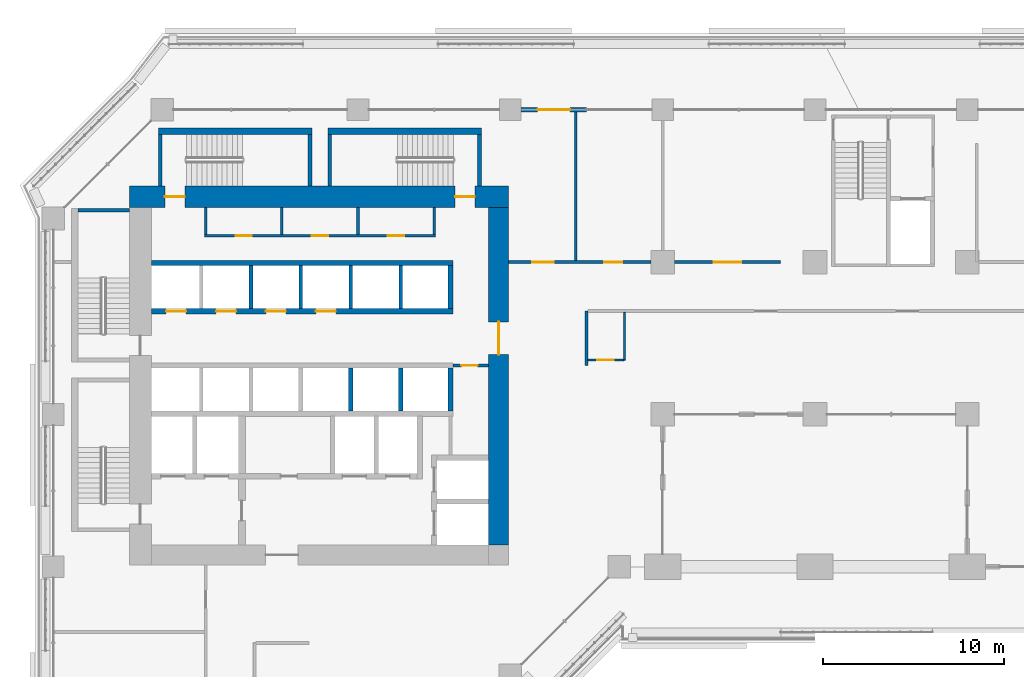
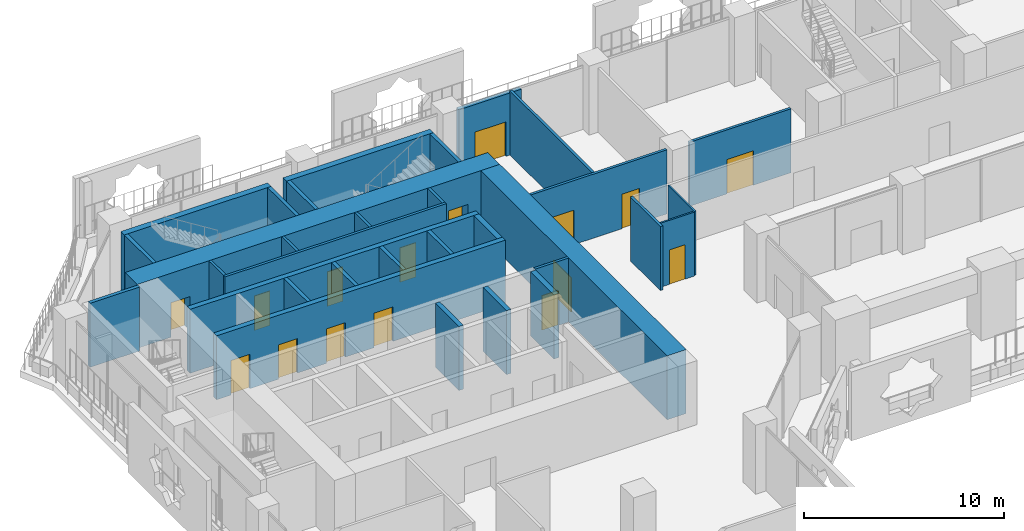
# One storey, part 15 of 27: 32 walls, 16 doors, 16 openings.
"""IFC4 building model written with IfcOpenShell, lengths in metres."""

from ifc_helpers import new_model, si_unit, direction, frame, frame_2d, origin, place, context, subcontext, project, spatial, rectangle, extrude, material, layer, layer_set, type_object, element, fill, save


model = new_model("IFC4")

# Units and contexts
model_context = context("Model", 3, precision=1e-05, world=origin(), true_north=direction((0.0, 1.0)))
body_context = subcontext(model_context, "Body", "Model", "MODEL_VIEW")
ifc_project = project(units=[si_unit("LENGTHUNIT", "METRE"), si_unit("AREAUNIT", "SQUARE_METRE"), si_unit("VOLUMEUNIT", "CUBIC_METRE"), si_unit("PLANEANGLEUNIT", "RADIAN"), si_unit("MASSUNIT", "GRAM", prefix="KILO")], contexts=[model_context])

# Site, building, storey
site_placement = place(None, origin())
site = spatial("IfcSite", under=ifc_project, at=site_placement, CompositionType="ELEMENT")
building_placement = place(site_placement, origin())
building = spatial("IfcBuilding", under=site, at=building_placement, Name="Kawkab Arch Medical Tower", CompositionType="ELEMENT")
storey_placement = place(building_placement, frame((0.0, 0.0, 39.199951171875)))
storey = spatial("IfcBuildingStorey", under=building, at=storey_placement, Name="L08", CompositionType="ELEMENT", Elevation=39.199951171875)

# Wall, opening, door
ifc_material_1 = material(Name="Concrete C60/75", Category="concrete")
ifc_layer_1 = layer(ifc_material_1, 1.10009765625)
ifc_layer_set_1 = layer_set([ifc_layer_1], Name="Concrete C60/75")
wall_type_1 = type_object("IfcWallType", Name="Core ring wall 1100 C60/75", PredefinedType="SHEAR", material=ifc_layer_set_1)
wall_1_placement = place(storey_placement, frame((24.550048828125, -24.0, 0.0), z_axis=(0.0, 0.0, 1.0), x_axis=(0.0, 1.0, 0.0)))
wall_1 = element("IfcWall", 1, at=wall_1_placement, inside=storey, type_object=wall_type_1, Name="L08 core wall", PredefinedType="SHEAR", context=body_context, shape_type="SweptSolid", body=[
    extrude(rectangle(XDim=18.60009765625, YDim=1.10009765625, at=frame_2d((9.300048828125, 0.0))), origin(), (0.0, 0.0, 1.0), 3.900146484375),
])
opening_1_placement = place(wall_1_placement, frame((10.5, 0.0, 0.0)))
opening_1 = element("IfcOpeningElement", 2, at=opening_1_placement, cuts=wall_1, Name="Opening PD", PredefinedType="OPENING", context=body_context, shape_type="SweptSolid", body=[
    extrude(rectangle(XDim=1.800048828125, YDim=2.10009765625, at=frame_2d((0.89990234375, 1.050048828125))), frame((0.0, 0.56005859375, 0.0), z_axis=(0.0, -1.0, 0.0), x_axis=(1.0, 0.0, 0.0)), (0.0, 0.0, 1.0), 1.1201171875),
])
ifc_material_2 = material(Name="Hollow metal fire door leaf")
door_type_1 = type_object("IfcDoorType", Name="Core entrance doors 1800", OperationType="DOUBLE_DOOR_SINGLE_SWING", PredefinedType="DOOR", material=ifc_material_2)
door_1_placement = place(opening_1_placement, origin())
door_1 = element("IfcDoor", 3, at=door_1_placement, inside=storey, type_object=door_type_1, Name="L08 East entrance doors", OperationType="DOUBLE_DOOR_SINGLE_SWING", OverallHeight=2.10009765625, OverallWidth=1.800048828125, PredefinedType="DOOR", context=body_context, shape_type="SweptSolid", body=[
    extrude(rectangle(XDim=1.800048828125, YDim=2.10009765625, at=frame_2d((0.89990234375, 1.050048828125))), frame((0.0, 0.02490234375, 0.0), z_axis=(0.0, -1.0, 0.0), x_axis=(1.0, 0.0, 0.0)), (0.0, 0.0, 1.0), 0.050048828125),
])
fill(opening_1, door_1)

# Wall, openings, doors
ifc_material_3 = material(Name="Concrete C60/75", Category="concrete")
ifc_layer_2 = layer(ifc_material_3, 1.199951171875)
ifc_layer_set_2 = layer_set([ifc_layer_2], Name="Concrete C60/75")
wall_type_2 = type_object("IfcWallType", Name="Core ring wall 1200 C60/75", PredefinedType="SHEAR", material=ifc_layer_set_2)
wall_2_placement = place(storey_placement, frame((4.199951171875, -4.800048828125, 0.0), z_axis=(0.0, 0.0, 1.0), x_axis=(1.0, 0.0, 0.0)))
wall_2 = element("IfcWall", 4, at=wall_2_placement, inside=storey, type_object=wall_type_2, Name="L08 core wall", PredefinedType="SHEAR", context=body_context, shape_type="SweptSolid", body=[
    extrude(rectangle(XDim=20.900146484375, YDim=1.199951171875, at=frame_2d((10.4501953125, 0.0))), origin(), (0.0, 0.0, 1.0), 3.900146484375),
])
opening_2_placement = place(wall_2_placement, frame((1.949951171875, 0.0, 0.0)))
opening_2 = element("IfcOpeningElement", 5, at=opening_2_placement, cuts=wall_2, Name="Opening SD", PredefinedType="OPENING", context=body_context, shape_type="SweptSolid", body=[
    extrude(rectangle(XDim=1.10009765625, YDim=2.10009765625, at=frame_2d((0.550048828125, 1.050048828125))), frame((0.0, 0.60986328125, 0.0), z_axis=(0.0, -1.0, 0.0), x_axis=(1.0, 0.0, 0.0)), (0.0, 0.0, 1.0), 1.219970703125),
])
opening_3_placement = place(wall_2_placement, frame((17.949951171875, 0.0, 0.0)))
opening_3 = element("IfcOpeningElement", 6, at=opening_3_placement, cuts=wall_2, Name="Opening SD", PredefinedType="OPENING", context=body_context, shape_type="SweptSolid", body=[
    extrude(rectangle(XDim=1.10009765625, YDim=2.10009765625, at=frame_2d((0.550048828125, 1.050048828125))), frame((0.0, 0.60986328125, 0.0), z_axis=(0.0, -1.0, 0.0), x_axis=(1.0, 0.0, 0.0)), (0.0, 0.0, 1.0), 1.219970703125),
])
ifc_material_4 = material(Name="Hollow metal fire door leaf")
door_type_2 = type_object("IfcDoorType", Name="Exit stair door 1100", OperationType="SINGLE_SWING_LEFT", PredefinedType="DOOR", material=ifc_material_4)
door_2_placement = place(opening_2_placement, origin())
door_2 = element("IfcDoor", 7, at=door_2_placement, inside=storey, type_object=door_type_2, Name="L08 Exit stair ST3 door", OperationType="SINGLE_SWING_LEFT", OverallHeight=2.10009765625, OverallWidth=1.10009765625, PredefinedType="DOOR", context=body_context, shape_type="SweptSolid", body=[
    extrude(rectangle(XDim=1.10009765625, YDim=2.10009765625, at=frame_2d((0.550048828125, 1.050048828125))), frame((0.0, 0.02490234375, 0.0), z_axis=(0.0, -1.0, 0.0), x_axis=(1.0, 0.0, 0.0)), (0.0, 0.0, 1.0), 0.050048828125),
])
fill(opening_2, door_2)
door_3_placement = place(opening_3_placement, origin())
door_3 = element("IfcDoor", 8, at=door_3_placement, inside=storey, type_object=door_type_2, Name="L08 Exit stair ST4 door", OperationType="SINGLE_SWING_LEFT", OverallHeight=2.10009765625, OverallWidth=1.10009765625, PredefinedType="DOOR", context=body_context, shape_type="SweptSolid", body=[
    extrude(rectangle(XDim=1.10009765625, YDim=2.10009765625, at=frame_2d((0.550048828125, 1.050048828125))), frame((0.0, 0.02490234375, 0.0), z_axis=(0.0, -1.0, 0.0), x_axis=(1.0, 0.0, 0.0)), (0.0, 0.0, 1.0), 0.050048828125),
])
fill(opening_3, door_3)

# Wall, opening, door
ifc_material_5 = material(Name="Gypsum board on steel studs", Category="steel")
ifc_layer_3 = layer(ifc_material_5, 0.14990234375)
ifc_layer_set_3 = layer_set([ifc_layer_3], Name="Gypsum board on steel studs")
wall_type_3 = type_object("IfcWallType", Name="Core room partition 150", PredefinedType="PARTITIONING", material=ifc_layer_set_3)
wall_3_placement = place(storey_placement, frame((22.050048828125, -14.10009765625, 0.0), z_axis=(0.0, 0.0, 1.0), x_axis=(1.0, 0.0, 0.0)))
wall_3 = element("IfcWall", 9, at=wall_3_placement, inside=storey, type_object=wall_type_3, Name="L08 core room partition", PredefinedType="PARTITIONING", context=body_context, shape_type="SweptSolid", body=[
    extrude(rectangle(XDim=1.949951171875, YDim=0.14990234375, at=frame_2d((0.97509765625, 0.0))), origin(), (0.0, 0.0, 1.0), 3.900146484375),
])
opening_4_placement = place(wall_3_placement, frame((0.449951171875, 0.0, 0.0)))
opening_4 = element("IfcOpeningElement", 10, at=opening_4_placement, cuts=wall_3, Name="Opening RD", PredefinedType="OPENING", context=body_context, shape_type="SweptSolid", body=[
    extrude(rectangle(XDim=0.89990234375, YDim=2.10009765625, at=frame_2d((0.449951171875, 1.050048828125))), frame((0.0, 0.0849609375, 0.0), z_axis=(0.0, -1.0, 0.0), x_axis=(1.0, 0.0, 0.0)), (0.0, 0.0, 1.0), 0.169921875),
])
ifc_material_6 = material(Name="Hollow metal fire door leaf")
door_type_3 = type_object("IfcDoorType", Name="Core room door 900", OperationType="SINGLE_SWING_LEFT", PredefinedType="DOOR", material=ifc_material_6)
door_4_placement = place(opening_4_placement, origin())
door_4 = element("IfcDoor", 11, at=door_4_placement, inside=storey, type_object=door_type_3, Name="L08 Housekeeping store door", OperationType="SINGLE_SWING_LEFT", OverallHeight=2.10009765625, OverallWidth=0.89990234375, PredefinedType="DOOR", context=body_context, shape_type="SweptSolid", body=[
    extrude(rectangle(XDim=0.89990234375, YDim=2.10009765625, at=frame_2d((0.449951171875, 1.050048828125))), frame((0.0, 0.02490234375, 0.0), z_axis=(0.0, -1.0, 0.0), x_axis=(1.0, 0.0, 0.0)), (0.0, 0.0, 1.0), 0.050048828125),
])
fill(opening_4, door_4)

# Wall, openings, doors
wall_4_placement = place(storey_placement, frame((8.324951171875, -6.949951171875, 0.0), z_axis=(0.0, 0.0, 1.0), x_axis=(1.0, 0.0, 0.0)))
wall_4 = element("IfcWall", 12, at=wall_4_placement, inside=storey, type_object=wall_type_3, Name="L08 core room partition", PredefinedType="PARTITIONING", context=body_context, shape_type="SweptSolid", body=[
    extrude(rectangle(XDim=12.75, YDim=0.14990234375, at=frame_2d((6.375, 0.0))), origin(), (0.0, 0.0, 1.0), 3.900146484375),
])
opening_5_placement = place(wall_4_placement, frame((1.72509765625, 0.0, 0.0)))
opening_5 = element("IfcOpeningElement", 13, at=opening_5_placement, cuts=wall_4, Name="Opening RD", PredefinedType="OPENING", context=body_context, shape_type="SweptSolid", body=[
    extrude(rectangle(XDim=0.89990234375, YDim=2.10009765625, at=frame_2d((0.449951171875, 1.050048828125))), frame((0.0, 0.0849609375, 0.0), z_axis=(0.0, -1.0, 0.0), x_axis=(1.0, 0.0, 0.0)), (0.0, 0.0, 1.0), 0.169921875),
])
opening_6_placement = place(wall_4_placement, frame((5.925048828125, 0.0, 0.0)))
opening_6 = element("IfcOpeningElement", 14, at=opening_6_placement, cuts=wall_4, Name="Opening RD", PredefinedType="OPENING", context=body_context, shape_type="SweptSolid", body=[
    extrude(rectangle(XDim=0.89990234375, YDim=2.10009765625, at=frame_2d((0.449951171875, 1.050048828125))), frame((0.0, 0.0849609375, 0.0), z_axis=(0.0, -1.0, 0.0), x_axis=(1.0, 0.0, 0.0)), (0.0, 0.0, 1.0), 0.169921875),
])
opening_7_placement = place(wall_4_placement, frame((10.125, 0.0, 0.0)))
opening_7 = element("IfcOpeningElement", 15, at=opening_7_placement, cuts=wall_4, Name="Opening RD", PredefinedType="OPENING", context=body_context, shape_type="SweptSolid", body=[
    extrude(rectangle(XDim=0.89990234375, YDim=2.10009765625, at=frame_2d((0.449951171875, 1.050048828125))), frame((0.0, 0.0849609375, 0.0), z_axis=(0.0, -1.0, 0.0), x_axis=(1.0, 0.0, 0.0)), (0.0, 0.0, 1.0), 0.169921875),
])
door_5_placement = place(opening_5_placement, origin())
door_5 = element("IfcDoor", 16, at=door_5_placement, inside=storey, type_object=door_type_3, Name="L08 Sprinkler valve room door", OperationType="SINGLE_SWING_LEFT", OverallHeight=2.10009765625, OverallWidth=0.89990234375, PredefinedType="DOOR", context=body_context, shape_type="SweptSolid", body=[
    extrude(rectangle(XDim=0.89990234375, YDim=2.10009765625, at=frame_2d((0.449951171875, 1.050048828125))), frame((0.0, 0.02490234375, 0.0), z_axis=(0.0, -1.0, 0.0), x_axis=(1.0, 0.0, 0.0)), (0.0, 0.0, 1.0), 0.050048828125),
])
fill(opening_5, door_5)
door_6_placement = place(opening_6_placement, origin())
door_6 = element("IfcDoor", 17, at=door_6_placement, inside=storey, type_object=door_type_3, Name="L08 Data room door", OperationType="SINGLE_SWING_LEFT", OverallHeight=2.10009765625, OverallWidth=0.89990234375, PredefinedType="DOOR", context=body_context, shape_type="SweptSolid", body=[
    extrude(rectangle(XDim=0.89990234375, YDim=2.10009765625, at=frame_2d((0.449951171875, 1.050048828125))), frame((0.0, 0.02490234375, 0.0), z_axis=(0.0, -1.0, 0.0), x_axis=(1.0, 0.0, 0.0)), (0.0, 0.0, 1.0), 0.050048828125),
])
fill(opening_6, door_6)
door_7_placement = place(opening_7_placement, origin())
door_7 = element("IfcDoor", 18, at=door_7_placement, inside=storey, type_object=door_type_3, Name="L08 Electrical riser room door", OperationType="SINGLE_SWING_LEFT", OverallHeight=2.10009765625, OverallWidth=0.89990234375, PredefinedType="DOOR", context=body_context, shape_type="SweptSolid", body=[
    extrude(rectangle(XDim=0.89990234375, YDim=2.10009765625, at=frame_2d((0.449951171875, 1.050048828125))), frame((0.0, 0.02490234375, 0.0), z_axis=(0.0, -1.0, 0.0), x_axis=(1.0, 0.0, 0.0)), (0.0, 0.0, 1.0), 0.050048828125),
])
fill(opening_7, door_7)

# Walls
for number, where, z_axis, x_axis, name in (
    (19, (8.39990234375, -6.875, 0.0), (0.0, 0.0, 1.0), (0.0, 1.0, 0.0), "L08 core room partition"),
    (20, (12.60009765625, -6.875, 0.0), (0.0, 0.0, 1.0), (0.0, 1.0, 0.0), "L08 core room partition"),
    (21, (16.800048828125, -6.875, 0.0), (0.0, 0.0, 1.0), (0.0, 1.0, 0.0), "L08 core room partition"),
    (22, (21.0, -6.875, 0.0), (0.0, 0.0, 1.0), (0.0, 1.0, 0.0), "L08 core room partition"),
):
    element("IfcWall", number, at=place(storey_placement, frame(where, z_axis=z_axis, x_axis=x_axis)), inside=storey, type_object=wall_type_3, Name=name, PredefinedType="PARTITIONING", context=body_context, shape_type="SweptSolid", body=[
        extrude(rectangle(XDim=1.47509765625, YDim=0.14990234375, at=frame_2d((0.737548828125, 0.0))), origin(), (0.0, 0.0, 1.0), 3.900146484375),
    ])
ifc_material_7 = material(Name="Concrete C60/75", Category="concrete")
ifc_layer_4 = layer(ifc_material_7, 0.25)
ifc_layer_set_4 = layer_set([ifc_layer_4], Name="Concrete C60/75")
wall_type_4 = type_object("IfcWallType", Name="Core shear wall 250 C60/75", PredefinedType="SHEAR", material=ifc_layer_set_4)
for number, where, z_axis, x_axis, name in (
    (23, (16.39990234375, -16.60009765625, 0.0), (0.0, 0.0, 1.0), (0.0, 1.0, 0.0), "L08 core shear wall"),
    (24, (19.14990234375, -16.60009765625, 0.0), (0.0, 0.0, 1.0), (0.0, 1.0, 0.0), "L08 core shear wall"),
):
    element("IfcWall", number, at=place(storey_placement, frame(where, z_axis=z_axis, x_axis=x_axis)), inside=storey, type_object=wall_type_4, Name=name, PredefinedType="SHEAR", context=body_context, shape_type="SweptSolid", body=[
        extrude(rectangle(XDim=2.35009765625, YDim=0.25, at=frame_2d((1.175048828125, 0.0))), origin(), (0.0, 0.0, 1.0), 3.900146484375),
    ])
ifc_material_8 = material(Name="Concrete C60/75", Category="concrete")
ifc_layer_5 = layer(ifc_material_8, 0.300048828125)
ifc_layer_set_5 = layer_set([ifc_layer_5], Name="Concrete C60/75")
wall_type_5 = type_object("IfcWallType", Name="Core shear wall 300 C60/75", PredefinedType="SHEAR", material=ifc_layer_set_5)
wall_5_placement = place(storey_placement, frame((5.39990234375, -8.449951171875, 0.0), z_axis=(0.0, 0.0, 1.0), x_axis=(1.0, 0.0, 0.0)))
element("IfcWall", 25, at=wall_5_placement, inside=storey, type_object=wall_type_5, Name="L08 core shear wall", PredefinedType="SHEAR", context=body_context, shape_type="SweptSolid", body=[
    extrude(rectangle(XDim=16.650146484375, YDim=0.300048828125, at=frame_2d((8.3251953125, 0.0))), origin(), (0.0, 0.0, 1.0), 3.900146484375),
])

# Wall, openings, doors
wall_6_placement = place(storey_placement, frame((5.39990234375, -11.10009765625, 0.0), z_axis=(0.0, 0.0, 1.0), x_axis=(1.0, 0.0, 0.0)))
wall_6 = element("IfcWall", 26, at=wall_6_placement, inside=storey, type_object=wall_type_5, Name="L08 core shear wall", PredefinedType="SHEAR", context=body_context, shape_type="SweptSolid", body=[
    extrude(rectangle(XDim=16.650146484375, YDim=0.300048828125, at=frame_2d((8.3251953125, 0.0))), origin(), (0.0, 0.0, 1.0), 3.900146484375),
])
opening_8_placement = place(wall_6_placement, frame((0.824951171875, 0.0, 0.0)))
opening_8 = element("IfcOpeningElement", 27, at=opening_8_placement, cuts=wall_6, Name="Opening LD1", PredefinedType="OPENING", context=body_context, shape_type="SweptSolid", body=[
    extrude(rectangle(XDim=1.10009765625, YDim=2.10009765625, at=frame_2d((0.550048828125, 1.050048828125))), frame((0.0, 0.159912109375, 0.0), z_axis=(0.0, -1.0, 0.0), x_axis=(1.0, 0.0, 0.0)), (0.0, 0.0, 1.0), 0.320068359375),
])
opening_9_placement = place(wall_6_placement, frame((3.574951171875, 0.0, 0.0)))
opening_9 = element("IfcOpeningElement", 28, at=opening_9_placement, cuts=wall_6, Name="Opening LD1", PredefinedType="OPENING", context=body_context, shape_type="SweptSolid", body=[
    extrude(rectangle(XDim=1.10009765625, YDim=2.10009765625, at=frame_2d((0.550048828125, 1.050048828125))), frame((0.0, 0.159912109375, 0.0), z_axis=(0.0, -1.0, 0.0), x_axis=(1.0, 0.0, 0.0)), (0.0, 0.0, 1.0), 0.320068359375),
])
opening_10_placement = place(wall_6_placement, frame((6.324951171875, 0.0, 0.0)))
opening_10 = element("IfcOpeningElement", 29, at=opening_10_placement, cuts=wall_6, Name="Opening LD1", PredefinedType="OPENING", context=body_context, shape_type="SweptSolid", body=[
    extrude(rectangle(XDim=1.10009765625, YDim=2.10009765625, at=frame_2d((0.550048828125, 1.050048828125))), frame((0.0, 0.159912109375, 0.0), z_axis=(0.0, -1.0, 0.0), x_axis=(1.0, 0.0, 0.0)), (0.0, 0.0, 1.0), 0.320068359375),
])
opening_11_placement = place(wall_6_placement, frame((9.074951171875, 0.0, 0.0)))
opening_11 = element("IfcOpeningElement", 30, at=opening_11_placement, cuts=wall_6, Name="Opening LD1", PredefinedType="OPENING", context=body_context, shape_type="SweptSolid", body=[
    extrude(rectangle(XDim=1.10009765625, YDim=2.10009765625, at=frame_2d((0.550048828125, 1.050048828125))), frame((0.0, 0.159912109375, 0.0), z_axis=(0.0, -1.0, 0.0), x_axis=(1.0, 0.0, 0.0)), (0.0, 0.0, 1.0), 0.320068359375),
])
ifc_material_9 = material(Name="Stainless steel lift door leaf", Category="steel")
door_type_4 = type_object("IfcDoorType", Name="Lift landing door 1100", OperationType="DOUBLE_DOOR_SLIDING", PredefinedType="DOOR", material=ifc_material_9)
door_8_placement = place(opening_8_placement, origin())
door_8 = element("IfcDoor", 31, at=door_8_placement, inside=storey, type_object=door_type_4, Name="L08 Lift landing door LP1", OperationType="DOUBLE_DOOR_SLIDING", OverallHeight=2.10009765625, OverallWidth=1.10009765625, PredefinedType="DOOR", context=body_context, shape_type="SweptSolid", body=[
    extrude(rectangle(XDim=1.10009765625, YDim=2.10009765625, at=frame_2d((0.550048828125, 1.050048828125))), frame((0.0, 0.02490234375, 0.0), z_axis=(0.0, -1.0, 0.0), x_axis=(1.0, 0.0, 0.0)), (0.0, 0.0, 1.0), 0.050048828125),
])
fill(opening_8, door_8)
door_9_placement = place(opening_9_placement, origin())
door_9 = element("IfcDoor", 32, at=door_9_placement, inside=storey, type_object=door_type_4, Name="L08 Lift landing door LP2", OperationType="DOUBLE_DOOR_SLIDING", OverallHeight=2.10009765625, OverallWidth=1.10009765625, PredefinedType="DOOR", context=body_context, shape_type="SweptSolid", body=[
    extrude(rectangle(XDim=1.10009765625, YDim=2.10009765625, at=frame_2d((0.550048828125, 1.050048828125))), frame((0.0, 0.02490234375, 0.0), z_axis=(0.0, -1.0, 0.0), x_axis=(1.0, 0.0, 0.0)), (0.0, 0.0, 1.0), 0.050048828125),
])
fill(opening_9, door_9)
door_10_placement = place(opening_10_placement, origin())
door_10 = element("IfcDoor", 33, at=door_10_placement, inside=storey, type_object=door_type_4, Name="L08 Lift landing door LP3", OperationType="DOUBLE_DOOR_SLIDING", OverallHeight=2.10009765625, OverallWidth=1.10009765625, PredefinedType="DOOR", context=body_context, shape_type="SweptSolid", body=[
    extrude(rectangle(XDim=1.10009765625, YDim=2.10009765625, at=frame_2d((0.550048828125, 1.050048828125))), frame((0.0, 0.02490234375, 0.0), z_axis=(0.0, -1.0, 0.0), x_axis=(1.0, 0.0, 0.0)), (0.0, 0.0, 1.0), 0.050048828125),
])
fill(opening_10, door_10)
door_11_placement = place(opening_11_placement, origin())
door_11 = element("IfcDoor", 34, at=door_11_placement, inside=storey, type_object=door_type_4, Name="L08 Lift landing door LP4", OperationType="DOUBLE_DOOR_SLIDING", OverallHeight=2.10009765625, OverallWidth=1.10009765625, PredefinedType="DOOR", context=body_context, shape_type="SweptSolid", body=[
    extrude(rectangle(XDim=1.10009765625, YDim=2.10009765625, at=frame_2d((0.550048828125, 1.050048828125))), frame((0.0, 0.02490234375, 0.0), z_axis=(0.0, -1.0, 0.0), x_axis=(1.0, 0.0, 0.0)), (0.0, 0.0, 1.0), 0.050048828125),
])
fill(opening_11, door_11)

# Walls
wall_7_placement = place(storey_placement, frame((21.89990234375, -10.949951171875, 0.0), z_axis=(0.0, 0.0, 1.0), x_axis=(0.0, 1.0, 0.0)))
element("IfcWall", 35, at=wall_7_placement, inside=storey, type_object=wall_type_5, Name="L08 core shear wall", PredefinedType="SHEAR", context=body_context, shape_type="SweptSolid", body=[
    extrude(rectangle(XDim=2.349853515625, YDim=0.300048828125, at=frame_2d((1.1748046875, 0.0))), origin(), (0.0, 0.0, 1.0), 3.900146484375),
])
wall_8_placement = place(storey_placement, frame((21.89990234375, -16.60009765625, 0.0), z_axis=(0.0, 0.0, 1.0), x_axis=(0.0, 1.0, 0.0)))
element("IfcWall", 36, at=wall_8_placement, inside=storey, type_object=wall_type_5, Name="L08 core shear wall", PredefinedType="SHEAR", context=body_context, shape_type="SweptSolid", body=[
    extrude(rectangle(XDim=2.35009765625, YDim=0.300048828125, at=frame_2d((1.175048828125, 0.0))), origin(), (0.0, 0.0, 1.0), 3.900146484375),
])

# Wall, opening, door
ifc_material_10 = material(Name="Bronze clad insulated wall panel")
ifc_layer_6 = layer(ifc_material_10, 0.25)
ifc_layer_set_6 = layer_set([ifc_layer_6], Name="Bronze clad insulated wall panel")
wall_type_6 = type_object("IfcWallType", Name="External wall bay 250", PredefinedType="SOLIDWALL", material=ifc_layer_set_6)
wall_9_placement = place(storey_placement, frame((29.39990234375, 0.0, 0.0), z_axis=(0.0, 0.0, 1.0), x_axis=(-1.0, 0.0, 0.0)))
wall_9 = element("IfcWall", 37, at=wall_9_placement, inside=storey, type_object=wall_type_6, Name="External wall bay L08.R09.6.2", PredefinedType="SOLIDWALL", context=body_context, shape_type="SweptSolid", body=[
    extrude(rectangle(XDim=3.599853515625, YDim=0.25, at=frame_2d((1.7998046875, 0.0))), origin(), (0.0, 0.0, 1.0), 3.780029296875),
])
opening_12_placement = place(wall_9_placement, frame((0.89990234375, 0.0, 0.0)))
opening_12 = element("IfcOpeningElement", 38, at=opening_12_placement, cuts=wall_9, Name="Opening B08-701", PredefinedType="OPENING", context=body_context, shape_type="SweptSolid", body=[
    extrude(rectangle(XDim=1.800048828125, YDim=2.10009765625, at=frame_2d((0.89990234375, 1.050048828125))), frame((0.0, 0.135009765625, 0.0), z_axis=(0.0, -1.0, 0.0), x_axis=(1.0, 0.0, 0.0)), (0.0, 0.0, 1.0), 0.27001953125),
])
ifc_material_11 = material(Name="Bronze anodised aluminium door with tinted glass", Category="aluminium")
door_type_5 = type_object("IfcDoorType", Name="Double external door 1800 x 2100", OperationType="DOUBLE_DOOR_SINGLE_SWING", PredefinedType="DOOR", material=ifc_material_11)
door_12_placement = place(opening_12_placement, origin())
door_12 = element("IfcDoor", 39, at=door_12_placement, inside=storey, type_object=door_type_5, Name="External door L08.R09.6.2", OperationType="DOUBLE_DOOR_SINGLE_SWING", OverallHeight=2.10009765625, OverallWidth=1.800048828125, PredefinedType="DOOR", context=body_context, shape_type="SweptSolid", body=[
    extrude(rectangle(XDim=1.800048828125, YDim=2.10009765625, at=frame_2d((0.89990234375, 1.050048828125))), frame((0.0, 0.02490234375, 0.0), z_axis=(0.0, -1.0, 0.0), x_axis=(1.0, 0.0, 0.0)), (0.0, 0.0, 1.0), 0.050048828125),
])
fill(opening_12, door_12)

# Walls
ifc_material_12 = material(Name="Dense concrete blockwork", Category="masonry")
ifc_layer_7 = layer(ifc_material_12, 0.199951171875)
ifc_layer_set_7 = layer_set([ifc_layer_7], Name="Dense concrete blockwork")
wall_type_7 = type_object("IfcWallType", Name="Lift shaft partition 200", PredefinedType="PARTITIONING", material=ifc_layer_set_7)
for number, where, z_axis, x_axis, name in (
    (40, (10.89990234375, -10.949951171875, 0.0), (0.0, 0.0, 1.0), (0.0, 1.0, 0.0), "L08 lift shaft partition"),
    (41, (13.64990234375, -10.949951171875, 0.0), (0.0, 0.0, 1.0), (0.0, 1.0, 0.0), "L08 lift shaft partition"),
    (42, (16.39990234375, -10.949951171875, 0.0), (0.0, 0.0, 1.0), (0.0, 1.0, 0.0), "L08 lift shaft partition"),
    (43, (19.14990234375, -10.949951171875, 0.0), (0.0, 0.0, 1.0), (0.0, 1.0, 0.0), "L08 lift shaft partition"),
):
    element("IfcWall", number, at=place(storey_placement, frame(where, z_axis=z_axis, x_axis=x_axis)), inside=storey, type_object=wall_type_7, Name=name, PredefinedType="PARTITIONING", context=body_context, shape_type="SweptSolid", body=[
        extrude(rectangle(XDim=2.349853515625, YDim=0.199951171875, at=frame_2d((1.1748046875, 0.0))), origin(), (0.0, 0.0, 1.0), 3.900146484375),
    ])

# Wall, opening, door
ifc_material_13 = material(Name="Gypsum board partition on steel studs", Category="steel")
ifc_layer_8 = layer(ifc_material_13, 0.10009765625)
ifc_layer_set_8 = layer_set([ifc_layer_8], Name="Gypsum board partition on steel studs")
wall_type_8 = type_object("IfcWallType", Name="Partition 100", PredefinedType="PARTITIONING", material=ifc_layer_set_8)
wall_10_placement = place(storey_placement, frame((29.47509765625, -13.800048828125, 0.0), z_axis=(0.0, 0.0, 1.0), x_axis=(1.0, 0.0, 0.0)))
wall_10 = element("IfcWall", 44, at=wall_10_placement, inside=storey, type_object=wall_type_8, Name="Partition 100 w001", PredefinedType="PARTITIONING", context=body_context, shape_type="SweptSolid", body=[
    extrude(rectangle(XDim=1.974853515625, YDim=0.10009765625, at=frame_2d((0.9873046875, 0.0))), origin(), (0.0, 0.0, 1.0), 3.900146484375),
])
opening_13_placement = place(wall_10_placement, frame((0.52490234375, 0.0, 0.0)))
opening_13 = element("IfcOpeningElement", 45, at=opening_13_placement, cuts=wall_10, Name="Opening B08-009", PredefinedType="OPENING", context=body_context, shape_type="SweptSolid", body=[
    extrude(rectangle(XDim=0.89990234375, YDim=2.10009765625, at=frame_2d((0.449951171875, 1.050048828125))), frame((0.0, 0.06005859375, 0.0), z_axis=(0.0, -1.0, 0.0), x_axis=(1.0, 0.0, 0.0)), (0.0, 0.0, 1.0), 0.1201171875),
])
ifc_material_14 = material(Name="Timber door leaf", Category="wood")
door_type_6 = type_object("IfcDoorType", Name="Single door 900x2100", OperationType="NOTDEFINED", PredefinedType="DOOR", material=ifc_material_14)
door_13_placement = place(opening_13_placement, origin())
door_13 = element("IfcDoor", 46, at=door_13_placement, inside=storey, type_object=door_type_6, Name="Door B08-009", OperationType="SINGLE_SWING_RIGHT", OverallHeight=2.10009765625, OverallWidth=0.89990234375, PredefinedType="DOOR", context=body_context, shape_type="SweptSolid", body=[
    extrude(rectangle(XDim=0.89990234375, YDim=2.10009765625, at=frame_2d((0.449951171875, 1.050048828125))), frame((0.0, 0.02490234375, 0.0), z_axis=(0.0, -1.0, 0.0), x_axis=(1.0, 0.0, 0.0)), (0.0, 0.0, 1.0), 0.050048828125),
])
fill(opening_13, door_13)

# Wall
wall_11_placement = place(storey_placement, frame((31.5, -13.800048828125, 0.0), z_axis=(0.0, 0.0, 1.0), x_axis=(0.0, 1.0, 0.0)))
element("IfcWall", 47, at=wall_11_placement, inside=storey, type_object=wall_type_8, Name="Partition 100 w002", PredefinedType="PARTITIONING", context=body_context, shape_type="SweptSolid", body=[
    extrude(rectangle(XDim=2.625, YDim=0.10009765625, at=frame_2d((1.3125, 0.0))), origin(), (0.0, 0.0, 1.0), 3.900146484375),
])

# Wall, openings, doors
ifc_material_15 = material(Name="Gypsum board partition on steel studs, mineral wool", Category="steel")
ifc_layer_9 = layer(ifc_material_15, 0.14990234375)
ifc_layer_set_9 = layer_set([ifc_layer_9], Name="Gypsum board partition on steel studs, mineral wool")
wall_type_9 = type_object("IfcWallType", Name="Partition 150", PredefinedType="PARTITIONING", material=ifc_layer_set_9)
wall_12_placement = place(storey_placement, frame((25.10009765625, -8.39990234375, 0.0), z_axis=(0.0, 0.0, 1.0), x_axis=(1.0, 0.0, 0.0)))
wall_12 = element("IfcWall", 48, at=wall_12_placement, inside=storey, type_object=wall_type_9, Name="Partition 150 w017", PredefinedType="PARTITIONING", context=body_context, shape_type="SweptSolid", body=[
    extrude(rectangle(XDim=7.849853515625, YDim=0.14990234375, at=frame_2d((3.9248046875, 0.0))), origin(), (0.0, 0.0, 1.0), 3.900146484375),
])
opening_14_placement = place(wall_12_placement, frame((1.300048828125, 0.0, 0.0)))
opening_14 = element("IfcOpeningElement", 49, at=opening_14_placement, cuts=wall_12, Name="Opening B08-020", PredefinedType="OPENING", context=body_context, shape_type="SweptSolid", body=[
    extrude(rectangle(XDim=1.199951171875, YDim=2.10009765625, at=frame_2d((0.60009765625, 1.050048828125))), frame((0.0, 0.0849609375, 0.0), z_axis=(0.0, -1.0, 0.0), x_axis=(1.0, 0.0, 0.0)), (0.0, 0.0, 1.0), 0.169921875),
])
opening_15_placement = place(wall_12_placement, frame((5.27490234375, 0.0, 0.0)))
opening_15 = element("IfcOpeningElement", 50, at=opening_15_placement, cuts=wall_12, Name="Opening B08-011", PredefinedType="OPENING", context=body_context, shape_type="SweptSolid", body=[
    extrude(rectangle(XDim=1.0, YDim=2.10009765625, at=frame_2d((0.5, 1.050048828125))), frame((0.0, 0.0849609375, 0.0), z_axis=(0.0, -1.0, 0.0), x_axis=(1.0, 0.0, 0.0)), (0.0, 0.0, 1.0), 0.169921875),
])
ifc_material_16 = material(Name="Timber door leaf", Category="wood")
door_type_7 = type_object("IfcDoorType", Name="Single door 1000x2100", OperationType="NOTDEFINED", PredefinedType="DOOR", material=ifc_material_16)
door_14_placement = place(opening_15_placement, origin())
door_14 = element("IfcDoor", 51, at=door_14_placement, inside=storey, type_object=door_type_7, Name="Door B08-011", OperationType="SINGLE_SWING_RIGHT", OverallHeight=2.10009765625, OverallWidth=1.0, PredefinedType="DOOR", context=body_context, shape_type="SweptSolid", body=[
    extrude(rectangle(XDim=1.0, YDim=2.10009765625, at=frame_2d((0.5, 1.050048828125))), frame((0.0, 0.02490234375, 0.0), z_axis=(0.0, -1.0, 0.0), x_axis=(1.0, 0.0, 0.0)), (0.0, 0.0, 1.0), 0.050048828125),
])
fill(opening_15, door_14)
ifc_material_17 = material(Name="Hollow metal door leaf")
door_type_8 = type_object("IfcDoorType", Name="Single door 1200x2100 FD30S", OperationType="NOTDEFINED", PredefinedType="DOOR", material=ifc_material_17)
door_15_placement = place(opening_14_placement, origin())
door_15 = element("IfcDoor", 52, at=door_15_placement, inside=storey, type_object=door_type_8, Name="Door B08-020", OperationType="SINGLE_SWING_LEFT", OverallHeight=2.10009765625, OverallWidth=1.199951171875, PredefinedType="DOOR", context=body_context, shape_type="SweptSolid", body=[
    extrude(rectangle(XDim=1.199951171875, YDim=2.10009765625, at=frame_2d((0.60009765625, 1.050048828125))), frame((0.0, 0.02490234375, 0.0), z_axis=(0.0, -1.0, 0.0), x_axis=(1.0, 0.0, 0.0)), (0.0, 0.0, 1.0), 0.050048828125),
])
fill(opening_14, door_15)

# Wall, opening, door
wall_13_placement = place(storey_placement, frame((34.25, -8.39990234375, 0.0), z_axis=(0.0, 0.0, 1.0), x_axis=(1.0, 0.0, 0.0)))
wall_13 = element("IfcWall", 53, at=wall_13_placement, inside=storey, type_object=wall_type_9, Name="Partition 150 w018", PredefinedType="PARTITIONING", context=body_context, shape_type="SweptSolid", body=[
    extrude(rectangle(XDim=5.85693359375, YDim=0.14990234375, at=frame_2d((2.928466796875, 0.0))), origin(), (0.0, 0.0, 1.0), 3.900146484375),
])
opening_16_placement = place(wall_13_placement, frame((2.177978515625, 0.0, 0.0)))
opening_16 = element("IfcOpeningElement", 54, at=opening_16_placement, cuts=wall_13, Name="Opening B08-001", PredefinedType="OPENING", context=body_context, shape_type="SweptSolid", body=[
    extrude(rectangle(XDim=1.5, YDim=2.10009765625, at=frame_2d((0.75, 1.050048828125))), frame((0.0, 0.0849609375, 0.0), z_axis=(0.0, -1.0, 0.0), x_axis=(1.0, 0.0, 0.0)), (0.0, 0.0, 1.0), 0.169921875),
])
ifc_material_18 = material(Name="Hollow metal door leaf")
door_type_9 = type_object("IfcDoorType", Name="Double door 1500x2100 FD30S", OperationType="NOTDEFINED", PredefinedType="DOOR", material=ifc_material_18)
door_16_placement = place(opening_16_placement, origin())
door_16 = element("IfcDoor", 55, at=door_16_placement, inside=storey, type_object=door_type_9, Name="Door B08-001", OperationType="DOUBLE_DOOR_SINGLE_SWING", OverallHeight=2.10009765625, OverallWidth=1.5, PredefinedType="DOOR", context=body_context, shape_type="SweptSolid", body=[
    extrude(rectangle(XDim=1.5, YDim=2.10009765625, at=frame_2d((0.75, 1.050048828125))), frame((0.0, 0.02490234375, 0.0), z_axis=(0.0, -1.0, 0.0), x_axis=(1.0, 0.0, 0.0)), (0.0, 0.0, 1.0), 0.050048828125),
])
fill(opening_16, door_16)

# Walls
wall_14_placement = place(storey_placement, frame((28.800048828125, -8.324951171875, 0.0), z_axis=(0.0, 0.0, 1.0), x_axis=(0.0, 1.0, 0.0)))
element("IfcWall", 56, at=wall_14_placement, inside=storey, type_object=wall_type_9, Name="Partition 150 w024", PredefinedType="PARTITIONING", context=body_context, shape_type="SweptSolid", body=[
    extrude(rectangle(XDim=8.244873046875, YDim=0.14990234375, at=frame_2d((4.12255859375, 0.0))), origin(), (0.0, 0.0, 1.0), 3.900146484375),
])
wall_15_placement = place(storey_placement, frame((29.39990234375, -14.10009765625, 0.0), z_axis=(0.0, 0.0, 1.0), x_axis=(0.0, 1.0, 0.0)))
element("IfcWall", 57, at=wall_15_placement, inside=storey, type_object=wall_type_9, Name="Partition 150 w025", PredefinedType="PARTITIONING", context=body_context, shape_type="SweptSolid", body=[
    extrude(rectangle(XDim=3.0, YDim=0.14990234375, at=frame_2d((1.5, 0.0))), origin(), (0.0, 0.0, 1.0), 3.900146484375),
])
ifc_material_19 = material(Name="Concrete C50/60", Category="concrete")
ifc_layer_10 = layer(ifc_material_19, 0.199951171875)
ifc_layer_set_10 = layer_set([ifc_layer_10], Name="Concrete C50/60")
wall_type_10 = type_object("IfcWallType", Name="Stair enclosure wall 200 C50/60", PredefinedType="SHEAR", material=ifc_layer_set_10)
for number, where, z_axis, x_axis, name in (
    (58, (1.35009765625, -5.550048828125, 0.0), (0.0, 0.0, 1.0), (1.0, 0.0, 0.0), "L08 stair enclosure wall"),
    (59, (5.89990234375, -4.199951171875, 0.0), (0.0, 0.0, 1.0), (0.0, 1.0, 0.0), "L08 stair enclosure wall"),
    (60, (14.14990234375, -4.199951171875, 0.0), (0.0, 0.0, 1.0), (0.0, 1.0, 0.0), "L08 stair enclosure wall"),
    (61, (15.25, -4.199951171875, 0.0), (0.0, 0.0, 1.0), (0.0, 1.0, 0.0), "L08 stair enclosure wall"),
    (62, (23.5, -4.199951171875, 0.0), (0.0, 0.0, 1.0), (0.0, 1.0, 0.0), "L08 stair enclosure wall"),
):
    element("IfcWall", number, at=place(storey_placement, frame(where, z_axis=z_axis, x_axis=x_axis)), inside=storey, type_object=wall_type_10, Name=name, PredefinedType="SHEAR", context=body_context, shape_type="SweptSolid", body=[
        extrude(rectangle(XDim=2.849853515625, YDim=0.199951171875, at=frame_2d((1.4248046875, 0.0))), origin(), (0.0, 0.0, 1.0), 3.900146484375),
    ])
ifc_material_20 = material(Name="Concrete C50/60", Category="concrete")
ifc_layer_11 = layer(ifc_material_20, 0.35009765625)
ifc_layer_set_11 = layer_set([ifc_layer_11], Name="Concrete C50/60")
wall_type_11 = type_object("IfcWallType", Name="Stair enclosure wall 350 C50/60", PredefinedType="SHEAR", material=ifc_layer_set_11)
wall_16_placement = place(storey_placement, frame((5.800048828125, -1.175048828125, 0.0), z_axis=(0.0, 0.0, 1.0), x_axis=(1.0, 0.0, 0.0)))
element("IfcWall", 63, at=wall_16_placement, inside=storey, type_object=wall_type_11, Name="L08 stair enclosure wall", PredefinedType="SHEAR", context=body_context, shape_type="SweptSolid", body=[
    extrude(rectangle(XDim=8.449951171875, YDim=0.35009765625, at=frame_2d((4.22509765625, 0.0))), origin(), (0.0, 0.0, 1.0), 3.900146484375),
])
wall_17_placement = place(storey_placement, frame((15.14990234375, -1.175048828125, 0.0), z_axis=(0.0, 0.0, 1.0), x_axis=(1.0, 0.0, 0.0)))
element("IfcWall", 64, at=wall_17_placement, inside=storey, type_object=wall_type_11, Name="L08 stair enclosure wall", PredefinedType="SHEAR", context=body_context, shape_type="SweptSolid", body=[
    extrude(rectangle(XDim=8.4501953125, YDim=0.35009765625, at=frame_2d((4.22509765625, 0.0))), origin(), (0.0, 0.0, 1.0), 3.900146484375),
])

save(model, "model.ifc")
